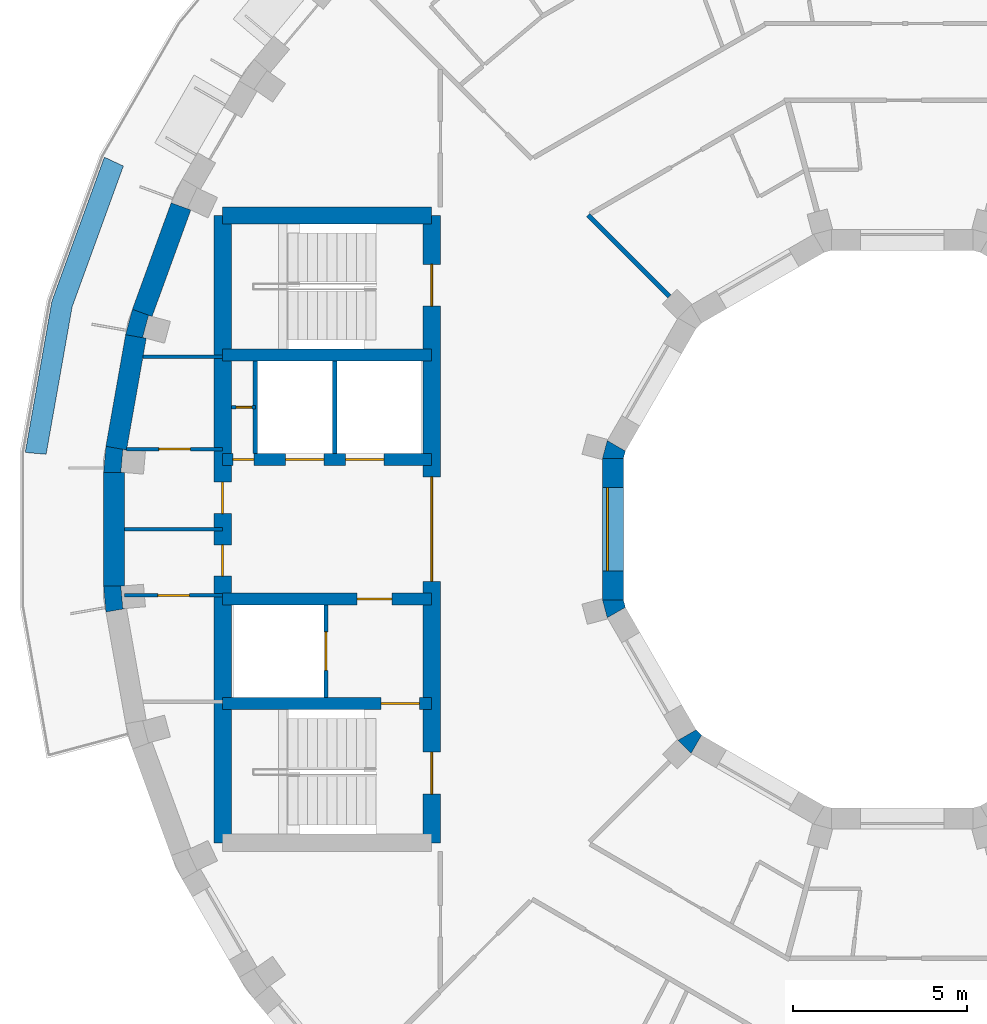
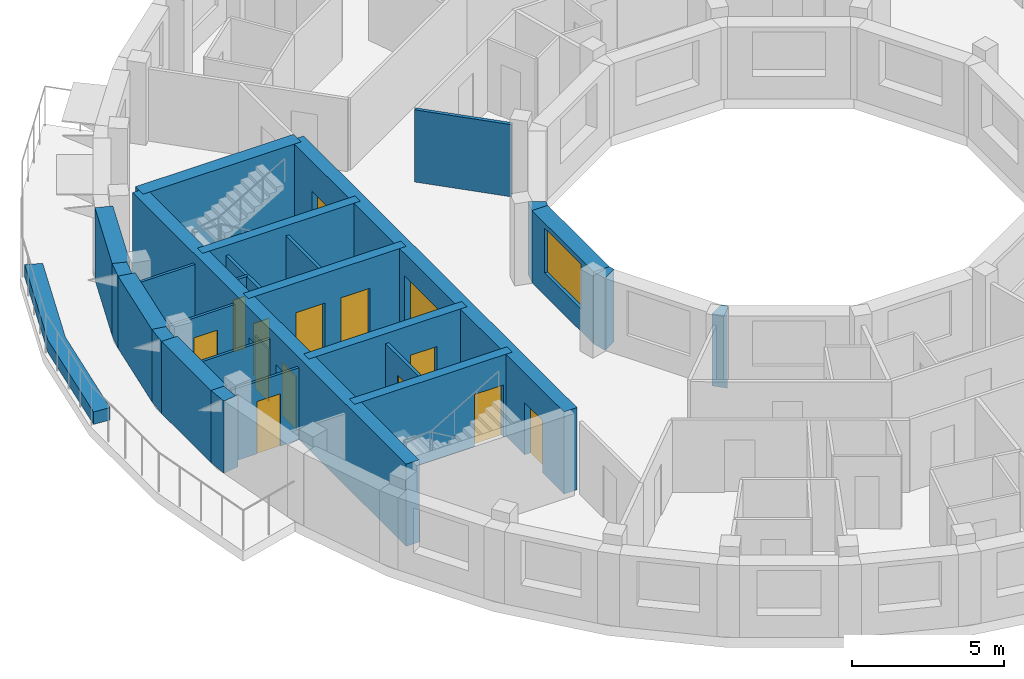
# One storey, part 4 of 10: 27 walls, 14 doors, 1 window, 15 openings.
"""IFC4 building model written with IfcOpenShell, lengths in metres."""

from ifc_helpers import new_model, si_unit, direction, frame, frame_2d, origin, place, context, subcontext, project, spatial, polyline, rectangle, outline, extrude, material, layer, layer_set, type_object, element, fill, save


model = new_model("IFC4")

# Units and contexts
model_context = context("Model", 3, precision=1e-05, world=origin(), true_north=direction((0.0, 1.0)))
body_context = subcontext(model_context, "Body", "Model", "MODEL_VIEW")
ifc_project = project(units=[si_unit("LENGTHUNIT", "METRE"), si_unit("AREAUNIT", "SQUARE_METRE"), si_unit("VOLUMEUNIT", "CUBIC_METRE"), si_unit("PLANEANGLEUNIT", "RADIAN"), si_unit("MASSUNIT", "GRAM", prefix="KILO")], contexts=[model_context])

# Site, building, storey
site_placement = place(None, origin())
site = spatial("IfcSite", under=ifc_project, at=site_placement, CompositionType="ELEMENT")
building_placement = place(site_placement, origin())
building = spatial("IfcBuilding", under=site, at=building_placement, Name="Saqina Gate Tower", CompositionType="ELEMENT")
storey_placement = place(building_placement, frame((0.0, 0.0, 239.60009765625)))
storey = spatial("IfcBuildingStorey", under=building, at=storey_placement, Name="L68", CompositionType="ELEMENT", Elevation=239.60009765625)

# Walls
ifc_material_1 = material(Name="Brick masonry (buff)", Category="masonry")
wall_type_1 = type_object("IfcWallType", Name="BRICK PIER COPING BUFF", PredefinedType="SOLIDWALL", material=ifc_material_1)
wall_1_placement = place(storey_placement, origin())
element("IfcWall", 1, at=wall_1_placement, inside=storey, type_object=wall_type_1, Name="Pier cap L68 column 17", PredefinedType="SOLIDWALL", context=body_context, shape_type="SweptSolid", body=[
    extrude(outline(polyline([(-22.281982421875, 5.579833984375), (-21.691162109375, 5.4755859375), (-21.793212890625, 5.5029296875), (-21.625, 6.130859375), (-21.52294921875, 6.103515625), (-22.0869140625, 6.30859375), (-22.281982421875, 5.579833984375)])), origin(), (0.0, 0.0, 1.0), 2.89990234375),
])
wall_2_placement = place(storey_placement, origin())
element("IfcWall", 2, at=wall_2_placement, inside=storey, type_object=wall_type_1, Name="Pier cap L68 column 18", PredefinedType="SOLIDWALL", context=body_context, shape_type="SweptSolid", body=[
    extrude(outline(polyline([(-22.8466796875, 2.377685546875), (-22.91259765625, 1.625732421875), (-22.3125, 1.625732421875), (-22.417724609375, 1.635009765625), (-22.361083984375, 2.28271484375), (-22.255859375, 2.2734375), (-22.8466796875, 2.377685546875)])), origin(), (0.0, 0.0, 1.0), 2.89990234375),
])
wall_3_placement = place(storey_placement, origin())
element("IfcWall", 3, at=wall_3_placement, inside=storey, type_object=wall_type_1, Name="Pier cap L68 column 19", PredefinedType="SOLIDWALL", context=body_context, shape_type="SweptSolid", body=[
    extrude(outline(polyline([(-22.91259765625, -1.625732421875), (-22.8466796875, -2.377685546875), (-22.255859375, -2.2734375), (-22.361083984375, -2.28271484375), (-22.417724609375, -1.635009765625), (-22.3125, -1.625732421875), (-22.91259765625, -1.625732421875)])), origin(), (0.0, 0.0, 1.0), 2.89990234375),
])

# Wall, opening, door
ifc_material_2 = material(Name="Gypsum board on steel studs", Category="steel")
ifc_layer_1 = layer(ifc_material_2, 0.10009765625)
ifc_layer_set_1 = layer_set([ifc_layer_1], Name="CORE PARTITION")
wall_type_2 = type_object("IfcWallType", Name="CORE PARTITION", PredefinedType="PARTITIONING", material=ifc_layer_set_1)
wall_4_placement = place(storey_placement, frame((-18.56005859375, 3.5, 0.0), z_axis=(0.0, 0.0, 1.0), x_axis=(-1.0, 0.0, 0.0)))
wall_4 = element("IfcWall", 4, at=wall_4_placement, inside=storey, type_object=wall_type_2, Name="L68-CP-W01", PredefinedType="PARTITIONING", context=body_context, shape_type="SweptSolid", body=[
    extrude(rectangle(XDim=0.68994140625, YDim=0.10009765625, at=frame_2d((0.344970703125, 0.0))), origin(), (0.0, 0.0, 1.0), 2.89990234375),
])
opening_1_placement = place(wall_4_placement, frame((0.10009765625, 0.0, 0.0)))
opening_1 = element("IfcOpeningElement", 5, at=opening_1_placement, cuts=wall_4, Name="Opening G20-D107", PredefinedType="OPENING", context=body_context, shape_type="SweptSolid", body=[
    extrude(rectangle(XDim=0.449951171875, YDim=2.10009765625, at=frame_2d((0.22509765625, 1.050048828125))), frame((0.0, 0.06201171875, 0.0), z_axis=(0.0, -1.0, 0.0), x_axis=(1.0, 0.0, 0.0)), (0.0, 0.0, 1.0), 0.1240234375),
])
ifc_material_3 = material(Name="Steel-framed fire door leaf, EI 60", Category="steel")
door_type_1 = type_object("IfcDoorType", Name="SERVICE ROOM DOOR 450", OperationType="SINGLE_SWING_LEFT", PredefinedType="DOOR", material=ifc_material_3)
door_1_placement = place(opening_1_placement, origin())
door_1 = element("IfcDoor", 6, at=door_1_placement, inside=storey, type_object=door_type_1, Name="L68-CD-W18", OperationType="SINGLE_SWING_RIGHT", OverallHeight=2.10009765625, OverallWidth=0.449951171875, PredefinedType="DOOR", context=body_context, shape_type="SweptSolid", body=[
    extrude(rectangle(XDim=0.449951171875, YDim=2.10009765625, at=frame_2d((0.22509765625, 1.050048828125))), frame((0.0, 0.02490234375, 0.0), z_axis=(0.0, -1.0, 0.0), x_axis=(1.0, 0.0, 0.0)), (0.0, 0.0, 1.0), 0.050048828125),
])
fill(opening_1, door_1)

# Wall
wall_5_placement = place(storey_placement, frame((-19.5, 4.949951171875, 0.0), z_axis=(0.0, 0.0, 1.0), x_axis=(-1.0, 0.0, 0.0)))
element("IfcWall", 7, at=wall_5_placement, inside=storey, type_object=wall_type_2, Name="L68-CP-W02", PredefinedType="PARTITIONING", context=body_context, shape_type="SweptSolid", body=[
    extrude(rectangle(XDim=2.283935546875, YDim=0.10009765625, at=frame_2d((1.14208984375, 0.0))), origin(), (0.0, 0.0, 1.0), 2.89990234375),
])

# Wall, opening, door
wall_6_placement = place(storey_placement, frame((-19.5, 2.300048828125, 0.0), z_axis=(0.0, 0.0, 1.0), x_axis=(-1.0, 0.0, 0.0)))
wall_6 = element("IfcWall", 8, at=wall_6_placement, inside=storey, type_object=wall_type_2, Name="L68-CP-W03", PredefinedType="PARTITIONING", context=body_context, shape_type="SweptSolid", body=[
    extrude(rectangle(XDim=2.751220703125, YDim=0.10009765625, at=frame_2d((1.37548828125, 0.0))), origin(), (0.0, 0.0, 1.0), 2.89990234375),
])
opening_2_placement = place(wall_6_placement, frame((0.925537109375, 0.0, 0.0)))
opening_2 = element("IfcOpeningElement", 9, at=opening_2_placement, cuts=wall_6, Name="Opening G20-D103", PredefinedType="OPENING", context=body_context, shape_type="SweptSolid", body=[
    extrude(rectangle(XDim=0.89990234375, YDim=2.10009765625, at=frame_2d((0.449951171875, 1.050048828125))), frame((0.0, 0.06201171875, 0.0), z_axis=(0.0, -1.0, 0.0), x_axis=(1.0, 0.0, 0.0)), (0.0, 0.0, 1.0), 0.1240234375),
])
ifc_material_4 = material(Name="Steel-framed fire door leaf, EI 60", Category="steel")
door_type_2 = type_object("IfcDoorType", Name="SERVICE ROOM DOOR 900", OperationType="SINGLE_SWING_LEFT", PredefinedType="DOOR", material=ifc_material_4)
door_2_placement = place(opening_2_placement, frame((0.89990234375, 0.0, 0.0), z_axis=(0.0, 0.0, 1.0), x_axis=(-1.0, 0.0, 0.0)))
door_2 = element("IfcDoor", 10, at=door_2_placement, inside=storey, type_object=door_type_2, Name="L68-CD-W14", OperationType="SINGLE_SWING_RIGHT", OverallHeight=2.10009765625, OverallWidth=0.89990234375, PredefinedType="DOOR", context=body_context, shape_type="SweptSolid", body=[
    extrude(rectangle(XDim=0.89990234375, YDim=2.10009765625, at=frame_2d((0.449951171875, 1.050048828125))), frame((0.0, 0.02490234375, 0.0), z_axis=(0.0, -1.0, 0.0), x_axis=(1.0, 0.0, 0.0)), (0.0, 0.0, 1.0), 0.050048828125),
])
fill(opening_2, door_2)

wall_7_placement = place(storey_placement, frame((-19.5, -1.89990234375, 0.0), z_axis=(0.0, 0.0, 1.0), x_axis=(-1.0, 0.0, 0.0)))
wall_7 = element("IfcWall", 11, at=wall_7_placement, inside=storey, type_object=wall_type_2, Name="L68-CP-W05", PredefinedType="PARTITIONING", context=body_context, shape_type="SweptSolid", body=[
    extrude(rectangle(XDim=2.8125, YDim=0.10009765625, at=frame_2d((1.40625, 0.0))), origin(), (0.0, 0.0, 1.0), 2.89990234375),
])
opening_3_placement = place(wall_7_placement, frame((0.956298828125, 0.0, 0.0)))
opening_3 = element("IfcOpeningElement", 12, at=opening_3_placement, cuts=wall_7, Name="Opening G20-D105", PredefinedType="OPENING", context=body_context, shape_type="SweptSolid", body=[
    extrude(rectangle(XDim=0.89990234375, YDim=2.10009765625, at=frame_2d((0.449951171875, 1.050048828125))), frame((0.0, 0.06201171875, 0.0), z_axis=(0.0, -1.0, 0.0), x_axis=(1.0, 0.0, 0.0)), (0.0, 0.0, 1.0), 0.1240234375),
])
door_3_placement = place(opening_3_placement, origin())
door_3 = element("IfcDoor", 13, at=door_3_placement, inside=storey, type_object=door_type_2, Name="L68-CD-W16", OperationType="SINGLE_SWING_RIGHT", OverallHeight=2.10009765625, OverallWidth=0.89990234375, PredefinedType="DOOR", context=body_context, shape_type="SweptSolid", body=[
    extrude(rectangle(XDim=0.89990234375, YDim=2.10009765625, at=frame_2d((0.449951171875, 1.050048828125))), frame((0.0, 0.02490234375, 0.0), z_axis=(0.0, -1.0, 0.0), x_axis=(1.0, 0.0, 0.0)), (0.0, 0.0, 1.0), 0.050048828125),
])
fill(opening_3, door_3)

# Walls
wall_8_placement = place(storey_placement, frame((-19.5, 0.0, 0.0), z_axis=(0.0, 0.0, 1.0), x_axis=(-1.0, 0.0, 0.0)))
element("IfcWall", 14, at=wall_8_placement, inside=storey, type_object=wall_type_2, Name="L68-CP-W06", PredefinedType="PARTITIONING", context=body_context, shape_type="SweptSolid", body=[
    extrude(rectangle(XDim=2.8125, YDim=0.10009765625, at=frame_2d((1.40625, 0.0))), origin(), (0.0, 0.0, 1.0), 2.89990234375),
])
ifc_material_5 = material(Name="Glazed ceramic tile", Category="ceramic")
ifc_layer_2 = layer(ifc_material_5, 0.60009765625)
ifc_layer_set_2 = layer_set([ifc_layer_2], Name="FW-TILE")
wall_type_3 = type_object("IfcWallType", Name="FW-TILE", PredefinedType="SOLIDWALL", material=ifc_layer_set_2)
wall_9_placement = place(storey_placement, frame((-21.986572265625, 5.52783203125, 0.0), z_axis=(0.0, 0.0, 1.0), x_axis=(-0.173656842178, -0.984806225186, 0.0)))
element("IfcWall", 15, at=wall_9_placement, inside=storey, type_object=wall_type_3, Name="Facade wall L68 facet 17", PredefinedType="SOLIDWALL", context=body_context, shape_type="SweptSolid", body=[
    extrude(rectangle(XDim=3.251708984375, YDim=0.60009765625, at=frame_2d((1.6259765625, 0.0))), origin(), (0.0, 0.0, 1.0), 2.89990234375),
])
ifc_material_6 = material(Name="Glazed ceramic tile (dark blue)", Category="ceramic")
ifc_layer_3 = layer(ifc_material_6, 0.60009765625)
ifc_layer_set_3 = layer_set([ifc_layer_3], Name="FW-TILE-CB")
wall_type_4 = type_object("IfcWallType", Name="FW-TILE-CB", PredefinedType="SOLIDWALL", material=ifc_layer_set_3)
wall_10_placement = place(storey_placement, frame((-22.612548828125, 1.625732421875, 0.0), z_axis=(0.0, 0.0, 1.0), x_axis=(0.0, -1.0, 0.0)))
element("IfcWall", 16, at=wall_10_placement, inside=storey, type_object=wall_type_4, Name="Facade wall L68 facet 18", PredefinedType="SOLIDWALL", context=body_context, shape_type="SweptSolid", body=[
    extrude(rectangle(XDim=3.25146484375, YDim=0.60009765625, at=frame_2d((1.625732421875, 0.0))), origin(), (0.0, 0.0, 1.0), 2.89990234375),
])
ifc_material_7 = material(Name="Glazed ceramic tile (white)", Category="ceramic")
ifc_layer_4 = layer(ifc_material_7, 0.60009765625)
ifc_layer_set_4 = layer_set([ifc_layer_4], Name="FW-TILE-WH")
wall_type_5 = type_object("IfcWallType", Name="FW-TILE-WH", PredefinedType="SOLIDWALL", material=ifc_layer_set_4)
wall_11_placement = place(storey_placement, frame((-20.692626953125, 9.26171875, 0.0), z_axis=(0.0, 0.0, 1.0), x_axis=(-0.342056509473, -0.939679383794, 0.0)))
element("IfcWall", 17, at=wall_11_placement, inside=storey, type_object=wall_type_5, Name="Facade wall L68 facet 16", PredefinedType="SOLIDWALL", context=body_context, shape_type="SweptSolid", body=[
    extrude(rectangle(XDim=3.251708984375, YDim=0.60009765625, at=frame_2d((1.6259765625, 0.0))), origin(), (0.0, 0.0, 1.0), 2.89990234375),
])

# Wall, opening, window
ifc_material_8 = material(Name="Glazed ceramic tile", Category="ceramic")
ifc_layer_5 = layer(ifc_material_8, 0.60009765625)
ifc_layer_set_5 = layer_set([ifc_layer_5], Name="IW-TILE")
wall_type_6 = type_object("IfcWallType", Name="IW-TILE", PredefinedType="SOLIDWALL", material=ifc_layer_set_5)
wall_12_placement = place(storey_placement, frame((-8.300048828125, 2.029296875, 0.0), z_axis=(0.0, 0.0, 1.0), x_axis=(0.0, -1.0, 0.0)))
wall_12 = element("IfcWall", 18, at=wall_12_placement, inside=storey, type_object=wall_type_6, Name="Well wall L68 facet 6", PredefinedType="SOLIDWALL", context=body_context, shape_type="SweptSolid", body=[
    extrude(rectangle(XDim=4.05859375, YDim=0.60009765625, at=frame_2d((2.029296875, 0.0))), origin(), (0.0, 0.0, 1.0), 2.89990234375),
])
opening_4_placement = place(wall_12_placement, frame((0.829345703125, 0.0, 0.89990234375)))
opening_4 = element("IfcOpeningElement", 19, at=opening_4_placement, cuts=wall_12, Name="Opening G20-W30", PredefinedType="OPENING", context=body_context, shape_type="SweptSolid", body=[
    extrude(rectangle(XDim=2.39990234375, YDim=1.800048828125, at=frame_2d((1.199951171875, 0.89990234375))), frame((0.0, 0.31201171875, 0.0), z_axis=(0.0, -1.0, 0.0), x_axis=(1.0, 0.0, 0.0)), (0.0, 0.0, 1.0), 0.6240234375),
])
ifc_material_9 = material(Name="Aluminium glazing", Category="aluminium")
window_type = type_object("IfcWindowType", Name="WN-W", PartitioningType="SINGLE_PANEL", PredefinedType="WINDOW", material=ifc_material_9)
window_placement = place(opening_4_placement, origin())
window = element("IfcWindow", 20, at=window_placement, inside=storey, type_object=window_type, Name="Well window L68 facet 6", OverallHeight=1.800048828125, OverallWidth=2.39990234375, PartitioningType="SINGLE_PANEL", PredefinedType="WINDOW", context=body_context, shape_type="SweptSolid", body=[
    extrude(rectangle(XDim=2.39990234375, YDim=1.800048828125, at=frame_2d((1.199951171875, 0.89990234375))), frame((0.0, -0.119873046875, 0.0), z_axis=(0.0, -1.0, 0.0), x_axis=(1.0, 0.0, 0.0)), (0.0, 0.0, 1.0), 0.06005859375),
])
fill(opening_4, window)

# Walls
ifc_material_10 = material(Name="Gypsum board on steel studs, 125 mm, fire rated", Category="steel")
ifc_layer_6 = layer(ifc_material_10, 0.125)
ifc_layer_set_6 = layer_set([ifc_layer_6], Name="PARTITION EI 30 125")
wall_type_7 = type_object("IfcWallType", Name="PARTITION EI 30 125", PredefinedType="PARTITIONING", material=ifc_layer_set_6)
wall_13_placement = place(storey_placement, frame((-9.011962890625, 9.011962890625, 0.0), z_axis=(0.0, 0.0, 1.0), x_axis=(0.707106781187, -0.707106781187, 0.0)))
element("IfcWall", 21, at=wall_13_placement, inside=storey, type_object=wall_type_7, Name="PARTITION PW1-07", PredefinedType="PARTITIONING", context=body_context, shape_type="SweptSolid", body=[
    extrude(rectangle(XDim=3.302490234375, YDim=0.125, at=frame_2d((1.6513671875, 0.0))), origin(), (0.0, 0.0, 1.0), 2.89990234375),
])
ifc_material_11 = material(Name="Brick masonry (red)", Category="masonry")
ifc_layer_7 = layer(ifc_material_11, 0.60009765625)
ifc_layer_set_7 = layer_set([ifc_layer_7], Name="PL-PLANTER")
wall_type_8 = type_object("IfcWallType", Name="PL-PLANTER", PredefinedType="PARAPET", material=ifc_layer_set_7)
wall_14_placement = place(storey_placement, origin())
element("IfcWall", 22, at=wall_14_placement, inside=storey, type_object=wall_type_8, Name="Planter L68", PredefinedType="PARAPET", context=body_context, shape_type="SweptSolid", body=[
    extrude(outline(polyline([(-22.89208984375, 10.6748046875), (-24.39794921875, 6.537353515625), (-25.16259765625, 2.201416015625), (-24.5625, 2.14892578125), (-23.816162109375, 6.381591796875), (-22.34619140625, 10.420166015625), (-22.89208984375, 10.6748046875)])), origin(), (0.0, 0.0, 1.0), 0.5),
])
ifc_material_12 = material(Name="Autoclaved aerated concrete block", Category="concrete")
ifc_layer_8 = layer(ifc_material_12, 0.1201171875)
ifc_layer_set_8 = layer_set([ifc_layer_8], Name="SHAFT PARTITION")
wall_type_9 = type_object("IfcWallType", Name="SHAFT PARTITION", PredefinedType="PARTITIONING", material=ifc_layer_set_8)
for number, where, z_axis, x_axis, name in (
    (23, (-16.280029296875, 2.175048828125, 0.0), (0.0, 0.0, 1.0), (0.0, 1.0, 0.0), "L68-CP-W07"),
    (24, (-18.56005859375, 2.175048828125, 0.0), (0.0, 0.0, 1.0), (0.0, 1.0, 0.0), "L68-CP-W08"),
):
    element("IfcWall", number, at=place(storey_placement, frame(where, z_axis=z_axis, x_axis=x_axis)), inside=storey, type_object=wall_type_9, Name=name, PredefinedType="PARTITIONING", context=body_context, shape_type="SweptSolid", body=[
        extrude(rectangle(XDim=2.64990234375, YDim=0.1201171875, at=frame_2d((1.324951171875, 0.0))), origin(), (0.0, 0.0, 1.0), 2.89990234375),
    ])

# Wall, opening, door
wall_15_placement = place(storey_placement, frame((-16.530029296875, -4.824951171875, 0.0), z_axis=(0.0, 0.0, 1.0), x_axis=(0.0, 1.0, 0.0)))
wall_15 = element("IfcWall", 25, at=wall_15_placement, inside=storey, type_object=wall_type_9, Name="L68-CP-W09", PredefinedType="PARTITIONING", context=body_context, shape_type="SweptSolid", body=[
    extrude(rectangle(XDim=2.64990234375, YDim=0.1201171875, at=frame_2d((1.324951171875, 0.0))), origin(), (0.0, 0.0, 1.0), 2.89990234375),
])
opening_5_placement = place(wall_15_placement, frame((0.77490234375, 0.0, 0.0)))
opening_5 = element("IfcOpeningElement", 26, at=opening_5_placement, cuts=wall_15, Name="Opening G20-LD6", PredefinedType="OPENING", context=body_context, shape_type="SweptSolid", body=[
    extrude(rectangle(XDim=1.10009765625, YDim=2.10009765625, at=frame_2d((0.550048828125, 1.050048828125))), frame((0.0, 0.072021484375, 0.0), z_axis=(0.0, -1.0, 0.0), x_axis=(1.0, 0.0, 0.0)), (0.0, 0.0, 1.0), 0.14404296875),
])
ifc_material_13 = material(Name="Stainless steel", Category="steel")
door_type_3 = type_object("IfcDoorType", Name="LANDING DOOR", OperationType="DOUBLE_DOOR_SLIDING", PredefinedType="DOOR", material=ifc_material_13)
door_4_placement = place(opening_5_placement, origin())
door_4 = element("IfcDoor", 27, at=door_4_placement, inside=storey, type_object=door_type_3, Name="LANDING DOOR FF2", OperationType="DOUBLE_DOOR_SLIDING", OverallHeight=2.10009765625, OverallWidth=1.10009765625, PredefinedType="DOOR", context=body_context, shape_type="SweptSolid", body=[
    extrude(rectangle(XDim=1.10009765625, YDim=2.10009765625, at=frame_2d((0.550048828125, 1.050048828125))), frame((0.0, 0.02490234375, 0.0), z_axis=(0.0, -1.0, 0.0), x_axis=(1.0, 0.0, 0.0)), (0.0, 0.0, 1.0), 0.050048828125),
])
fill(opening_5, door_4)

# Wall
ifc_material_14 = material(Name="Concrete C60/75", Category="concrete")
ifc_layer_9 = layer(ifc_material_14, 0.35009765625)
ifc_layer_set_9 = layer_set([ifc_layer_9], Name="Concrete C60/75")
wall_type_10 = type_object("IfcWallType", Name="STR-CORE WALL-D-I", PredefinedType="SHEAR", material=ifc_layer_set_9)
wall_16_placement = place(storey_placement, frame((-13.5, 5.0, 0.0), z_axis=(0.0, 0.0, 1.0), x_axis=(-1.0, 0.0, 0.0)))
element("IfcWall", 28, at=wall_16_placement, inside=storey, type_object=wall_type_10, Name="CORE WALL L68 W-X1", PredefinedType="SHEAR", context=body_context, shape_type="SweptSolid", body=[
    extrude(rectangle(XDim=6.0, YDim=0.35009765625, at=frame_2d((3.0, 0.0))), origin(), (0.0, 0.0, 1.0), 3.2998046875),
])

# Wall, opening, door
wall_17_placement = place(storey_placement, frame((-13.5, -5.0, 0.0), z_axis=(0.0, 0.0, 1.0), x_axis=(-1.0, 0.0, 0.0)))
wall_17 = element("IfcWall", 29, at=wall_17_placement, inside=storey, type_object=wall_type_10, Name="CORE WALL L68 W-X2", PredefinedType="SHEAR", context=body_context, shape_type="SweptSolid", body=[
    extrude(rectangle(XDim=6.0, YDim=0.35009765625, at=frame_2d((3.0, 0.0))), origin(), (0.0, 0.0, 1.0), 3.2998046875),
])
opening_6_placement = place(wall_17_placement, frame((0.35009765625, 0.0, 0.0)))
opening_6 = element("IfcOpeningElement", 30, at=opening_6_placement, cuts=wall_17, Name="Opening G20-D108", PredefinedType="OPENING", context=body_context, shape_type="SweptSolid", body=[
    extrude(rectangle(XDim=1.10009765625, YDim=2.10009765625, at=frame_2d((0.550048828125, 1.050048828125))), frame((0.0, 0.18701171875, 0.0), z_axis=(0.0, -1.0, 0.0), x_axis=(1.0, 0.0, 0.0)), (0.0, 0.0, 1.0), 0.3740234375),
])
ifc_material_15 = material(Name="Steel", Category="steel")
door_type_4 = type_object("IfcDoorType", Name="FIRE LOBBY DOOR EI 60 WIDE", OperationType="SINGLE_SWING_LEFT", PredefinedType="DOOR", material=ifc_material_15)
door_5_placement = place(opening_6_placement, origin())
door_5 = element("IfcDoor", 31, at=door_5_placement, inside=storey, type_object=door_type_4, Name="L68-CD-W19", OperationType="SINGLE_SWING_LEFT", OverallHeight=2.10009765625, OverallWidth=1.10009765625, PredefinedType="DOOR", context=body_context, shape_type="SweptSolid", body=[
    extrude(rectangle(XDim=1.10009765625, YDim=2.10009765625, at=frame_2d((0.550048828125, 1.050048828125))), frame((0.0, 0.02490234375, 0.0), z_axis=(0.0, -1.0, 0.0), x_axis=(1.0, 0.0, 0.0)), (0.0, 0.0, 1.0), 0.050048828125),
])
fill(opening_6, door_5)

# Wall, openings, doors
wall_18_placement = place(storey_placement, frame((-13.5, 2.0, 0.0), z_axis=(0.0, 0.0, 1.0), x_axis=(-1.0, 0.0, 0.0)))
wall_18 = element("IfcWall", 32, at=wall_18_placement, inside=storey, type_object=wall_type_10, Name="CORE WALL L68 W-L1", PredefinedType="SHEAR", context=body_context, shape_type="SweptSolid", body=[
    extrude(rectangle(XDim=6.0, YDim=0.35009765625, at=frame_2d((3.0, 0.0))), origin(), (0.0, 0.0, 1.0), 3.2998046875),
])
opening_7_placement = place(wall_18_placement, frame((1.3701171875, 0.0, 0.0)))
opening_7 = element("IfcOpeningElement", 33, at=opening_7_placement, cuts=wall_18, Name="Opening G20-LD4", PredefinedType="OPENING", context=body_context, shape_type="SweptSolid", body=[
    extrude(rectangle(XDim=1.10009765625, YDim=2.10009765625, at=frame_2d((0.550048828125, 1.050048828125))), frame((0.0, 0.18701171875, 0.0), z_axis=(0.0, -1.0, 0.0), x_axis=(1.0, 0.0, 0.0)), (0.0, 0.0, 1.0), 0.3740234375),
])
opening_8_placement = place(wall_18_placement, frame((3.090087890625, 0.0, 0.0)))
opening_8 = element("IfcOpeningElement", 34, at=opening_8_placement, cuts=wall_18, Name="Opening G20-LD5", PredefinedType="OPENING", context=body_context, shape_type="SweptSolid", body=[
    extrude(rectangle(XDim=1.10009765625, YDim=2.10009765625, at=frame_2d((0.550048828125, 1.050048828125))), frame((0.0, 0.18701171875, 0.0), z_axis=(0.0, -1.0, 0.0), x_axis=(1.0, 0.0, 0.0)), (0.0, 0.0, 1.0), 0.3740234375),
])
opening_9_placement = place(wall_18_placement, frame((5.10498046875, 0.0, 0.0)))
opening_9 = element("IfcOpeningElement", 35, at=opening_9_placement, cuts=wall_18, Name="Opening G20-D101", PredefinedType="OPENING", context=body_context, shape_type="SweptSolid", body=[
    extrude(rectangle(XDim=0.60009765625, YDim=2.10009765625, at=frame_2d((0.300048828125, 1.050048828125))), frame((0.0, 0.18701171875, 0.0), z_axis=(0.0, -1.0, 0.0), x_axis=(1.0, 0.0, 0.0)), (0.0, 0.0, 1.0), 0.3740234375),
])
door_6_placement = place(opening_7_placement, origin())
door_6 = element("IfcDoor", 36, at=door_6_placement, inside=storey, type_object=door_type_3, Name="LANDING DOOR HR3", OperationType="DOUBLE_DOOR_SLIDING", OverallHeight=2.10009765625, OverallWidth=1.10009765625, PredefinedType="DOOR", context=body_context, shape_type="SweptSolid", body=[
    extrude(rectangle(XDim=1.10009765625, YDim=2.10009765625, at=frame_2d((0.550048828125, 1.050048828125))), frame((0.0, 0.02490234375, 0.0), z_axis=(0.0, -1.0, 0.0), x_axis=(1.0, 0.0, 0.0)), (0.0, 0.0, 1.0), 0.050048828125),
])
fill(opening_7, door_6)
door_7_placement = place(opening_8_placement, origin())
door_7 = element("IfcDoor", 37, at=door_7_placement, inside=storey, type_object=door_type_3, Name="LANDING DOOR HR4", OperationType="DOUBLE_DOOR_SLIDING", OverallHeight=2.10009765625, OverallWidth=1.10009765625, PredefinedType="DOOR", context=body_context, shape_type="SweptSolid", body=[
    extrude(rectangle(XDim=1.10009765625, YDim=2.10009765625, at=frame_2d((0.550048828125, 1.050048828125))), frame((0.0, 0.02490234375, 0.0), z_axis=(0.0, -1.0, 0.0), x_axis=(1.0, 0.0, 0.0)), (0.0, 0.0, 1.0), 0.050048828125),
])
fill(opening_8, door_7)
ifc_material_16 = material(Name="Steel-framed fire door leaf, EI 60", Category="steel")
door_type_5 = type_object("IfcDoorType", Name="SERVICE ROOM DOOR 600", OperationType="SINGLE_SWING_LEFT", PredefinedType="DOOR", material=ifc_material_16)
door_8_placement = place(opening_9_placement, frame((0.60009765625, 0.0, 0.0), z_axis=(0.0, 0.0, 1.0), x_axis=(-1.0, 0.0, 0.0)))
door_8 = element("IfcDoor", 38, at=door_8_placement, inside=storey, type_object=door_type_5, Name="L68-CD-W12", OperationType="SINGLE_SWING_LEFT", OverallHeight=2.10009765625, OverallWidth=0.60009765625, PredefinedType="DOOR", context=body_context, shape_type="SweptSolid", body=[
    extrude(rectangle(XDim=0.60009765625, YDim=2.10009765625, at=frame_2d((0.300048828125, 1.050048828125))), frame((0.0, 0.02490234375, 0.0), z_axis=(0.0, -1.0, 0.0), x_axis=(1.0, 0.0, 0.0)), (0.0, 0.0, 1.0), 0.050048828125),
])
fill(opening_9, door_8)

# Wall, opening, door
wall_19_placement = place(storey_placement, frame((-13.5, -2.0, 0.0), z_axis=(0.0, 0.0, 1.0), x_axis=(-1.0, 0.0, 0.0)))
wall_19 = element("IfcWall", 39, at=wall_19_placement, inside=storey, type_object=wall_type_10, Name="CORE WALL L68 W-L2", PredefinedType="SHEAR", context=body_context, shape_type="SweptSolid", body=[
    extrude(rectangle(XDim=6.0, YDim=0.35009765625, at=frame_2d((3.0, 0.0))), origin(), (0.0, 0.0, 1.0), 3.2998046875),
])
opening_10_placement = place(wall_19_placement, frame((1.139892578125, 0.0, 0.0)))
opening_10 = element("IfcOpeningElement", 40, at=opening_10_placement, cuts=wall_19, Name="Opening G20-D102", PredefinedType="OPENING", context=body_context, shape_type="SweptSolid", body=[
    extrude(rectangle(XDim=1.0, YDim=2.10009765625, at=frame_2d((0.5, 1.050048828125))), frame((0.0, 0.18701171875, 0.0), z_axis=(0.0, -1.0, 0.0), x_axis=(1.0, 0.0, 0.0)), (0.0, 0.0, 1.0), 0.3740234375),
])
ifc_material_17 = material(Name="Steel", Category="steel")
door_type_6 = type_object("IfcDoorType", Name="FIRE LOBBY DOOR EI 60", OperationType="SINGLE_SWING_LEFT", PredefinedType="DOOR", material=ifc_material_17)
door_9_placement = place(opening_10_placement, frame((1.0, 0.0, 0.0), z_axis=(0.0, 0.0, 1.0), x_axis=(-1.0, 0.0, 0.0)))
door_9 = element("IfcDoor", 41, at=door_9_placement, inside=storey, type_object=door_type_6, Name="L68-CD-W13", OperationType="SINGLE_SWING_RIGHT", OverallHeight=2.10009765625, OverallWidth=1.0, PredefinedType="DOOR", context=body_context, shape_type="SweptSolid", body=[
    extrude(rectangle(XDim=1.0, YDim=2.10009765625, at=frame_2d((0.5, 1.050048828125))), frame((0.0, 0.02490234375, 0.0), z_axis=(0.0, -1.0, 0.0), x_axis=(1.0, 0.0, 0.0)), (0.0, 0.0, 1.0), 0.050048828125),
])
fill(opening_10, door_9)

# Wall, openings, doors
ifc_material_18 = material(Name="Concrete C60/75", Category="concrete")
ifc_layer_10 = layer(ifc_material_18, 0.5)
ifc_layer_set_10 = layer_set([ifc_layer_10], Name="Concrete C60/75")
wall_type_11 = type_object("IfcWallType", Name="STR-CORE WALL-D-O", PredefinedType="SHEAR", material=ifc_layer_set_10)
wall_20_placement = place(storey_placement, frame((-13.5, -9.0, 0.0), z_axis=(0.0, 0.0, 1.0), x_axis=(0.0, 1.0, 0.0)))
wall_20 = element("IfcWall", 42, at=wall_20_placement, inside=storey, type_object=wall_type_11, Name="CORE WALL L68 W-W1", PredefinedType="SHEAR", context=body_context, shape_type="SweptSolid", body=[
    extrude(rectangle(XDim=18.0, YDim=0.5, at=frame_2d((9.0, 0.0))), origin(), (0.0, 0.0, 1.0), 3.2998046875),
])
opening_11_placement = place(wall_20_placement, frame((15.39990234375, 0.0, 0.0)))
opening_11 = element("IfcOpeningElement", 43, at=opening_11_placement, cuts=wall_20, Name="Opening G20-D109", PredefinedType="OPENING", context=body_context, shape_type="SweptSolid", body=[
    extrude(rectangle(XDim=1.199951171875, YDim=2.10009765625, at=frame_2d((0.60009765625, 1.050048828125))), frame((0.0, 0.261962890625, 0.0), z_axis=(0.0, -1.0, 0.0), x_axis=(1.0, 0.0, 0.0)), (0.0, 0.0, 1.0), 0.52392578125),
])
opening_12_placement = place(wall_20_placement, frame((1.39990234375, 0.0, 0.0)))
opening_12 = element("IfcOpeningElement", 44, at=opening_12_placement, cuts=wall_20, Name="Opening G20-D110", PredefinedType="OPENING", context=body_context, shape_type="SweptSolid", body=[
    extrude(rectangle(XDim=1.199951171875, YDim=2.10009765625, at=frame_2d((0.60009765625, 1.050048828125))), frame((0.0, 0.261962890625, 0.0), z_axis=(0.0, -1.0, 0.0), x_axis=(1.0, 0.0, 0.0)), (0.0, 0.0, 1.0), 0.52392578125),
])
opening_13_placement = place(wall_20_placement, frame((7.5, 0.0, 0.0)))
opening_13 = element("IfcOpeningElement", 45, at=opening_13_placement, cuts=wall_20, Name="Opening G20-D111", PredefinedType="OPENING", context=body_context, shape_type="SweptSolid", body=[
    extrude(rectangle(XDim=3.0, YDim=2.39990234375, at=frame_2d((1.5, 1.199951171875))), frame((0.0, 0.261962890625, 0.0), z_axis=(0.0, -1.0, 0.0), x_axis=(1.0, 0.0, 0.0)), (0.0, 0.0, 1.0), 0.52392578125),
])
ifc_material_19 = material(Name="Steel", Category="steel")
door_type_7 = type_object("IfcDoorType", Name="FIRE DOOR EI 60", OperationType="SINGLE_SWING_LEFT", PredefinedType="DOOR", material=ifc_material_19)
door_10_placement = place(opening_11_placement, origin())
door_10 = element("IfcDoor", 46, at=door_10_placement, inside=storey, type_object=door_type_7, Name="L68-CD-W20", OperationType="SINGLE_SWING_RIGHT", OverallHeight=2.10009765625, OverallWidth=1.199951171875, PredefinedType="DOOR", context=body_context, shape_type="SweptSolid", body=[
    extrude(rectangle(XDim=1.199951171875, YDim=2.10009765625, at=frame_2d((0.60009765625, 1.050048828125))), frame((0.0, 0.02490234375, 0.0), z_axis=(0.0, -1.0, 0.0), x_axis=(1.0, 0.0, 0.0)), (0.0, 0.0, 1.0), 0.050048828125),
])
fill(opening_11, door_10)
door_11_placement = place(opening_12_placement, origin())
door_11 = element("IfcDoor", 47, at=door_11_placement, inside=storey, type_object=door_type_7, Name="L68-CD-W21", OperationType="SINGLE_SWING_LEFT", OverallHeight=2.10009765625, OverallWidth=1.199951171875, PredefinedType="DOOR", context=body_context, shape_type="SweptSolid", body=[
    extrude(rectangle(XDim=1.199951171875, YDim=2.10009765625, at=frame_2d((0.60009765625, 1.050048828125))), frame((0.0, 0.02490234375, 0.0), z_axis=(0.0, -1.0, 0.0), x_axis=(1.0, 0.0, 0.0)), (0.0, 0.0, 1.0), 0.050048828125),
])
fill(opening_12, door_11)
ifc_material_20 = material(Name="Steel and fire-resisting glass", Category="steel")
door_type_8 = type_object("IfcDoorType", Name="LOBBY SCREEN DOOR", OperationType="DOUBLE_DOOR_SLIDING", PredefinedType="DOOR", material=ifc_material_20)
door_12_placement = place(opening_13_placement, origin())
door_12 = element("IfcDoor", 48, at=door_12_placement, inside=storey, type_object=door_type_8, Name="L68-CD-W22", OperationType="DOUBLE_DOOR_SLIDING", OverallHeight=2.39990234375, OverallWidth=3.0, PredefinedType="DOOR", context=body_context, shape_type="SweptSolid", body=[
    extrude(rectangle(XDim=3.0, YDim=2.39990234375, at=frame_2d((1.5, 1.199951171875))), frame((0.0, 0.02490234375, 0.0), z_axis=(0.0, -1.0, 0.0), x_axis=(1.0, 0.0, 0.0)), (0.0, 0.0, 1.0), 0.050048828125),
])
fill(opening_13, door_12)

wall_21_placement = place(storey_placement, frame((-19.5, -9.0, 0.0), z_axis=(0.0, 0.0, 1.0), x_axis=(0.0, 1.0, 0.0)))
wall_21 = element("IfcWall", 49, at=wall_21_placement, inside=storey, type_object=wall_type_11, Name="CORE WALL L68 W-W2", PredefinedType="SHEAR", context=body_context, shape_type="SweptSolid", body=[
    extrude(rectangle(XDim=18.0, YDim=0.5, at=frame_2d((9.0, 0.0))), origin(), (0.0, 0.0, 1.0), 3.2998046875),
])
opening_14_placement = place(wall_21_placement, frame((9.449951171875, 0.0, 0.0)))
opening_14 = element("IfcOpeningElement", 50, at=opening_14_placement, cuts=wall_21, Name="Opening G20-D104", PredefinedType="OPENING", context=body_context, shape_type="SweptSolid", body=[
    extrude(rectangle(XDim=0.89990234375, YDim=2.10009765625, at=frame_2d((0.449951171875, 1.050048828125))), frame((0.0, 0.261962890625, 0.0), z_axis=(0.0, -1.0, 0.0), x_axis=(1.0, 0.0, 0.0)), (0.0, 0.0, 1.0), 0.52392578125),
])
opening_15_placement = place(wall_21_placement, frame((7.64990234375, 0.0, 0.0)))
opening_15 = element("IfcOpeningElement", 51, at=opening_15_placement, cuts=wall_21, Name="Opening G20-D106", PredefinedType="OPENING", context=body_context, shape_type="SweptSolid", body=[
    extrude(rectangle(XDim=0.89990234375, YDim=2.10009765625, at=frame_2d((0.449951171875, 1.050048828125))), frame((0.0, 0.261962890625, 0.0), z_axis=(0.0, -1.0, 0.0), x_axis=(1.0, 0.0, 0.0)), (0.0, 0.0, 1.0), 0.52392578125),
])
door_13_placement = place(opening_14_placement, origin())
door_13 = element("IfcDoor", 52, at=door_13_placement, inside=storey, type_object=door_type_2, Name="L68-CD-W15", OperationType="SINGLE_SWING_LEFT", OverallHeight=2.10009765625, OverallWidth=0.89990234375, PredefinedType="DOOR", context=body_context, shape_type="SweptSolid", body=[
    extrude(rectangle(XDim=0.89990234375, YDim=2.10009765625, at=frame_2d((0.449951171875, 1.050048828125))), frame((0.0, 0.02490234375, 0.0), z_axis=(0.0, -1.0, 0.0), x_axis=(1.0, 0.0, 0.0)), (0.0, 0.0, 1.0), 0.050048828125),
])
fill(opening_14, door_13)
door_14_placement = place(opening_15_placement, origin())
door_14 = element("IfcDoor", 53, at=door_14_placement, inside=storey, type_object=door_type_2, Name="L68-CD-W17", OperationType="SINGLE_SWING_LEFT", OverallHeight=2.10009765625, OverallWidth=0.89990234375, PredefinedType="DOOR", context=body_context, shape_type="SweptSolid", body=[
    extrude(rectangle(XDim=0.89990234375, YDim=2.10009765625, at=frame_2d((0.449951171875, 1.050048828125))), frame((0.0, 0.02490234375, 0.0), z_axis=(0.0, -1.0, 0.0), x_axis=(1.0, 0.0, 0.0)), (0.0, 0.0, 1.0), 0.050048828125),
])
fill(opening_15, door_14)

# Walls
wall_22_placement = place(storey_placement, frame((-13.5, 9.0, 0.0), z_axis=(0.0, 0.0, 1.0), x_axis=(-1.0, 0.0, 0.0)))
element("IfcWall", 54, at=wall_22_placement, inside=storey, type_object=wall_type_11, Name="CORE WALL L68 W-NE", PredefinedType="SHEAR", context=body_context, shape_type="SweptSolid", body=[
    extrude(rectangle(XDim=6.0, YDim=0.5, at=frame_2d((3.0, 0.0))), origin(), (0.0, 0.0, 1.0), 3.2998046875),
])
ifc_material_21 = material(Name="Glazed ceramic tile", Category="ceramic")
wall_type_12 = type_object("IfcWallType", Name="TILE PIER COPING", PredefinedType="SOLIDWALL", material=ifc_material_21)
wall_23_placement = place(storey_placement, origin())
element("IfcWall", 55, at=wall_23_placement, inside=storey, type_object=wall_type_12, Name="Well pier cap L68 column 6", PredefinedType="SOLIDWALL", context=body_context, shape_type="SweptSolid", body=[
    extrude(outline(polyline([(-8.60009765625, 2.029296875), (-8.0, 2.029296875), (-7.94287109375, 2.242431640625), (-8.46240234375, 2.54248046875), (-8.60009765625, 2.029296875)])), origin(), (0.0, 0.0, 1.0), 2.89990234375),
])
wall_24_placement = place(storey_placement, origin())
element("IfcWall", 56, at=wall_24_placement, inside=storey, type_object=wall_type_12, Name="Well pier cap L68 column 7", PredefinedType="SOLIDWALL", context=body_context, shape_type="SweptSolid", body=[
    extrude(outline(polyline([(-8.46240234375, -2.54248046875), (-7.94287109375, -2.242431640625), (-8.0, -2.029296875), (-8.60009765625, -2.029296875), (-8.46240234375, -2.54248046875)])), origin(), (0.0, 0.0, 1.0), 2.89990234375),
])
wall_25_placement = place(storey_placement, origin())
element("IfcWall", 57, at=wall_25_placement, inside=storey, type_object=wall_type_12, Name="Well pier cap L68 column 8", PredefinedType="SOLIDWALL", context=body_context, shape_type="SweptSolid", body=[
    extrude(outline(polyline([(-6.0576171875, -6.43310546875), (-5.757568359375, -5.91357421875), (-5.91357421875, -5.757568359375), (-6.43310546875, -6.0576171875), (-6.0576171875, -6.43310546875)])), origin(), (0.0, 0.0, 1.0), 2.89990234375),
])

save(model, "model.ifc")
